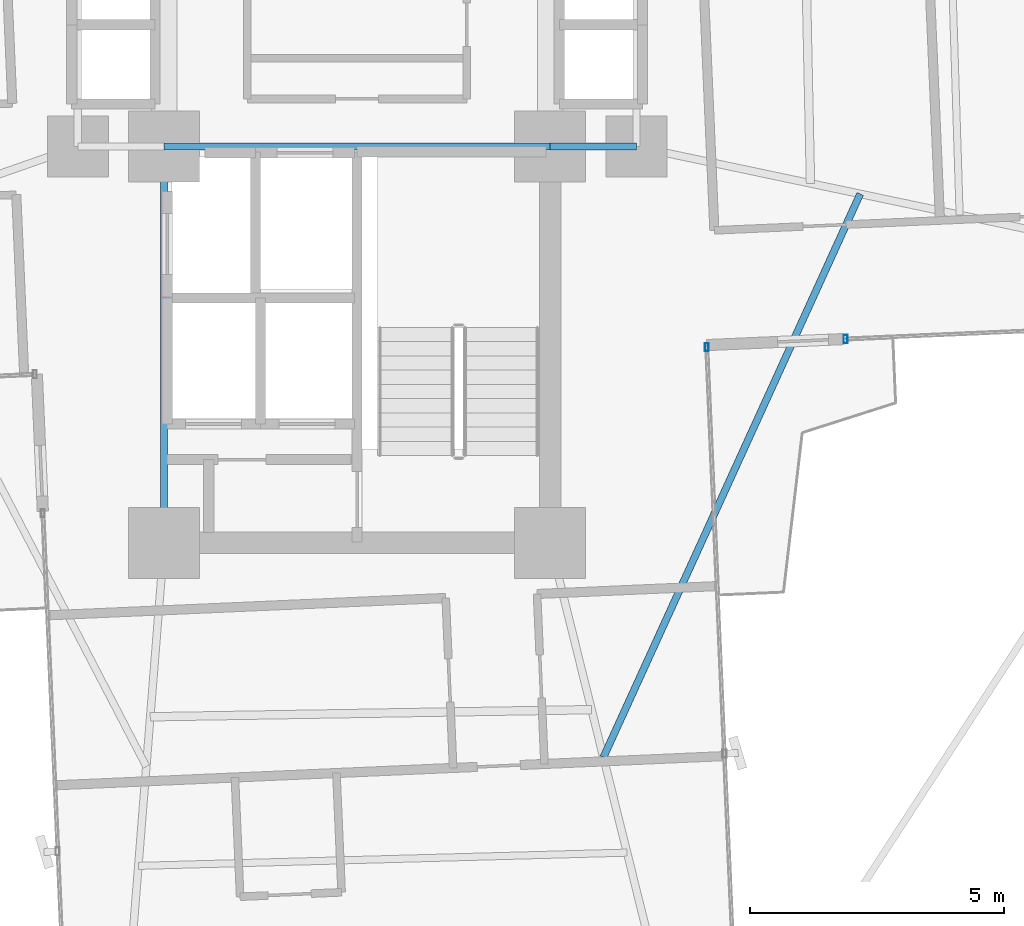
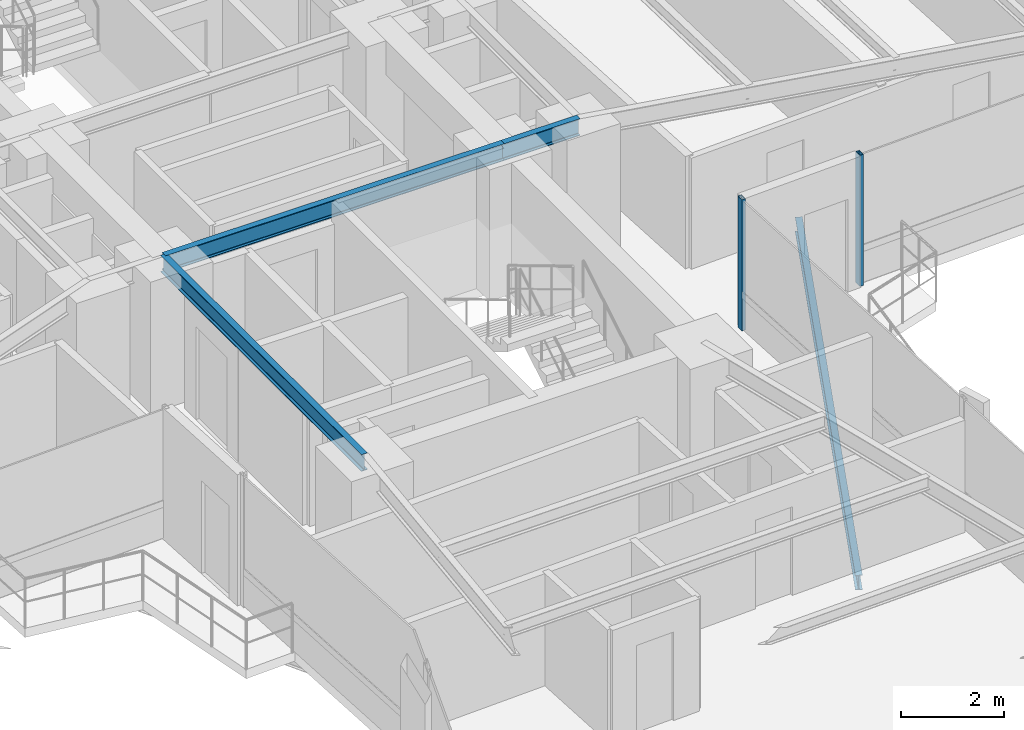
# One storey, part 11 of 26: 4 beams, 2 members, 2 elements without a shape of their own.
"""IFC4 building model written with IfcOpenShell, lengths in metres."""

import ifcopenshell
import ifcopenshell.guid

model = None  # the IFC model being written
_history = None  # IfcOwnerHistory: only IFC2X3 demands one
_inside = {}  # id of a spatial element -> (the spatial element, [elements in it])
_under = {}  # id of a project, library or spatial element -> (it, [spatial elements below it])
_declared = {}  # id of a project -> (the project, [libraries it declares])
_typed = {}  # id of a type object -> (the type object, [elements of that type])
_made_of = {}  # id of a material, layer set ... -> (it, [elements and type objects made of it])


def new_model(schema):
    """Start an empty IFC model of exactly this schema.

    Asked for "IFC4X3", IfcOpenShell would pick the latest addendum, in which some entities
    have other attributes; the version numbers below select the first issue.
    IFC2X3 requires an IfcOwnerHistory on every rooted entity: one is made here for all.
    """
    global model, _history
    if schema == "IFC4X3":
        model = ifcopenshell.file(schema_version=(4, 3, 0, 0))
    else:
        model = ifcopenshell.file(schema=schema)
    _inside.clear()
    _under.clear()
    _declared.clear()
    _typed.clear()
    _made_of.clear()
    _history = None
    if model.schema == "IFC2X3":
        org = make("IfcOrganization", Name="unknown")
        user = make(
            "IfcPersonAndOrganization",
            ThePerson=make("IfcPerson", FamilyName="unknown"),
            TheOrganization=org,
        )
        app = make(
            "IfcApplication",
            ApplicationDeveloper=org,
            Version="unknown",
            ApplicationFullName="unknown",
            ApplicationIdentifier="unknown",
        )
        _history = make(
            "IfcOwnerHistory",
            OwningUser=user,
            OwningApplication=app,
            ChangeAction="ADDED",
            CreationDate=0,
        )
    return model


def make(cls, **values):
    """One entity of the class cls with the attributes given. An attribute that is None is left unset."""
    return model.create_entity(
        cls, **{name: value for name, value in values.items() if value is not None}
    )


def rooted(cls, **values):
    """An entity with a GlobalId (a new one), such as an element, a storey or a relation."""
    return make(cls, GlobalId=ifcopenshell.guid.new(), OwnerHistory=_history, **values)


def si_unit(unit_type, name, prefix=None):
    """IfcSIUnit, for example si_unit("LENGTHUNIT", "METRE", prefix="MILLI")."""
    return make("IfcSIUnit", UnitType=unit_type, Prefix=prefix, Name=name)


def assignment(units):
    """IfcUnitAssignment: the units of a project."""
    return None if units is None else make("IfcUnitAssignment", Units=units)


def point(xyz):
    """IfcCartesianPoint."""
    return None if xyz is None else make("IfcCartesianPoint", Coordinates=xyz)


def direction(xyz):
    """IfcDirection."""
    return None if xyz is None else make("IfcDirection", DirectionRatios=xyz)


def frame(location, z_axis=None, x_axis=None):
    """IfcAxis2Placement3D, a coordinate frame: its origin and axes. An axis left out is left unset."""
    return make(
        "IfcAxis2Placement3D",
        Location=point(location),
        Axis=direction(z_axis),
        RefDirection=direction(x_axis),
    )


def frame_2d(location, x_axis=None):
    """IfcAxis2Placement2D, a coordinate frame in the plane: its origin and x axis."""
    return make(
        "IfcAxis2Placement2D", Location=point(location), RefDirection=direction(x_axis)
    )


def origin():
    """The frame at (0, 0, 0) with its axes left unset."""
    return frame((0.0, 0.0, 0.0))


def origin_2d():
    """The frame at (0, 0) in the plane with its x axis left unset."""
    return frame_2d((0.0, 0.0))


def place(relative_to, where):
    """IfcLocalPlacement: puts the frame where relative to a parent placement (None: the world)."""
    return make(
        "IfcLocalPlacement", PlacementRelTo=relative_to, RelativePlacement=where
    )


def context(
    kind, dimensions, precision=None, world=None, true_north=None, identifier=None
):
    """IfcGeometricRepresentationContext, for example the 3D "Model" context."""
    return make(
        "IfcGeometricRepresentationContext",
        ContextIdentifier=identifier,
        ContextType=kind,
        CoordinateSpaceDimension=dimensions,
        Precision=precision,
        WorldCoordinateSystem=world,
        TrueNorth=true_north,
    )


def subcontext(parent, identifier, kind, view, scale=None):
    """IfcGeometricRepresentationSubContext, for example "Body" below "Model"."""
    return make(
        "IfcGeometricRepresentationSubContext",
        ContextIdentifier=identifier,
        ContextType=kind,
        ParentContext=parent,
        TargetScale=scale,
        TargetView=view,
    )


def project(units=None, contexts=None):
    """IfcProject with its units and contexts."""
    return rooted(
        "IfcProject",
        Name="project",
        RepresentationContexts=contexts,
        UnitsInContext=assignment(units),
    )


def spatial(cls, under=None, at=None, **own):
    """A site, building, storey or space (cls), placed at a placement, below another one or the project."""
    s = rooted(cls, ObjectPlacement=at, **own)
    if under is not None:
        _under.setdefault(under.id(), (under, []))[1].append(s)
    return s


def profile(cls, at=None, kind="AREA", **sizes):
    """A parametric profile (cls). Its sizes go by their IFC names, for example OverallWidth=200.0."""
    return make(cls, ProfileType=kind, Position=at, **sizes)


def hollow_rectangle(**sizes):
    """IfcRectangleHollowProfileDef."""
    return profile("IfcRectangleHollowProfileDef", **sizes)


def i_section(**sizes):
    """IfcIShapeProfileDef."""
    return profile("IfcIShapeProfileDef", **sizes)


def extrude(swept, where, along, depth):
    """IfcExtrudedAreaSolid: the profile swept, set in the frame where, extruded along a direction by depth."""
    return make(
        "IfcExtrudedAreaSolid",
        SweptArea=swept,
        Position=where,
        ExtrudedDirection=direction(along),
        Depth=depth,
    )


def shape(context_of_items, identifier, shape_type, items):
    """IfcShapeRepresentation: the items that make up one representation, for example the "Body"."""
    return make(
        "IfcShapeRepresentation",
        ContextOfItems=context_of_items,
        RepresentationIdentifier=identifier,
        RepresentationType=shape_type,
        Items=items,
    )


def source(mapping_origin, context_of_items, identifier, shape_type, items):
    """IfcRepresentationMap: a shape defined once, which mapped items show again and again."""
    return make(
        "IfcRepresentationMap",
        MappingOrigin=mapping_origin,
        MappedRepresentation=shape(context_of_items, identifier, shape_type, items),
    )


def transform(
    local_origin,
    x_axis=None,
    y_axis=None,
    z_axis=None,
    scale=None,
    scale2=None,
    scale3=None,
    uniform=True,
):
    """IfcCartesianTransformationOperator3D, or its non-uniform kind. x_axis, y_axis, z_axis: its Axis1, 2, 3."""
    if uniform:
        return make(
            "IfcCartesianTransformationOperator3D",
            Axis1=direction(x_axis),
            Axis2=direction(y_axis),
            LocalOrigin=point(local_origin),
            Scale=scale,
            Axis3=direction(z_axis),
        )
    return make(
        "IfcCartesianTransformationOperator3DnonUniform",
        Axis1=direction(x_axis),
        Axis2=direction(y_axis),
        LocalOrigin=point(local_origin),
        Scale=scale,
        Axis3=direction(z_axis),
        Scale2=scale2,
        Scale3=scale3,
    )


def mapped(mapping_source, mapping_target):
    """IfcMappedItem: shows the shape of a source again, moved by a transform."""
    return make(
        "IfcMappedItem", MappingSource=mapping_source, MappingTarget=mapping_target
    )


def material(Name=None, Category=None):
    """IfcMaterial."""
    return make("IfcMaterial", Name=Name, Category=Category)


def material_profile(
    of_material, cross_section, Name=None, Category=None, Priority=None
):
    """IfcMaterialProfile: a cross section and its material."""
    return make(
        "IfcMaterialProfile",
        Name=Name,
        Material=of_material,
        Profile=cross_section,
        Priority=Priority,
        Category=Category,
    )


def profile_set(profiles, Name=None, composite=None):
    """IfcMaterialProfileSet."""
    return make(
        "IfcMaterialProfileSet",
        Name=Name,
        MaterialProfiles=profiles,
        CompositeProfile=composite,
    )


def made_of(thing, what):
    """Note that an element or type object is made of a material, layer set ...; save() writes the relation."""
    if what is not None:
        _made_of.setdefault(what.id(), (what, []))[1].append(thing)
    return thing


def type_object(cls, material=None, **own):
    """A type object (cls), such as IfcWallType, which elements share."""
    return made_of(rooted(cls, **own), material)


def element(
    cls,
    number,
    at=None,
    inside=None,
    cuts=None,
    type_object=None,
    material=None,
    context=None,
    identifier="Body",
    shape_type=None,
    held_by="IfcProductDefinitionShape",
    body=None,
    shapes=None,
    **own,
):
    """One element of the class cls, such as IfcWall. Its Tag is "e" and its number.

    at: its placement. inside: the storey or other place that contains it. cuts: it is an
    opening in that element (IfcRelVoidsElement). A single representation is given by context,
    identifier, shape_type and body (its items); several are given by shapes. held_by: the class
    of the entity that holds the representations. save() writes the other relations.
    """
    e = rooted(cls, Tag="e%d" % number, ObjectPlacement=at, **own)
    if body is not None:
        shapes = [shape(context, identifier, shape_type, body)]
    if shapes is not None:
        e.Representation = make(held_by, Representations=shapes)
    if inside is not None:
        _inside.setdefault(inside.id(), (inside, []))[1].append(e)
    if cuts is not None:
        rooted(
            "IfcRelVoidsElement", RelatingBuildingElement=cuts, RelatedOpeningElement=e
        )
    if type_object is not None:
        _typed.setdefault(type_object.id(), (type_object, []))[1].append(e)
    return made_of(e, material)


def aggregate(whole, parts):
    """IfcRelAggregates: a whole, such as a stair, and the parts it consists of."""
    return rooted("IfcRelAggregates", RelatingObject=whole, RelatedObjects=parts)


def save(model, path):
    """Write the relations noted so far, then the file.

    IfcRelAggregates (storeys below a building ...), IfcRelContainedInSpatialStructure (elements
    in a storey), IfcRelDefinesByType, IfcRelAssociatesMaterial and IfcRelDeclares: one each for
    every whole, place, type object, material and project.
    """
    for whole, parts in _under.values():
        aggregate(whole, parts)
    for where, things in _inside.values():
        rooted(
            "IfcRelContainedInSpatialStructure",
            RelatedElements=things,
            RelatingStructure=where,
        )
    for kind, things in _typed.values():
        rooted("IfcRelDefinesByType", RelatedObjects=things, RelatingType=kind)
    for what, things in _made_of.values():
        rooted("IfcRelAssociatesMaterial", RelatedObjects=things, RelatingMaterial=what)
    for by, libraries in _declared.values():
        rooted("IfcRelDeclares", RelatingContext=by, RelatedDefinitions=libraries)
    model.write(path)


model = new_model("IFC4")

# Units and contexts
model_context = context("Model", 3, precision=1e-05, world=origin(), true_north=direction((0.0, 1.0)))
body_context = subcontext(model_context, "Body", "Model", "MODEL_VIEW")
ifc_project = project(units=[si_unit("LENGTHUNIT", "METRE"), si_unit("AREAUNIT", "SQUARE_METRE"), si_unit("VOLUMEUNIT", "CUBIC_METRE"), si_unit("PLANEANGLEUNIT", "RADIAN"), si_unit("MASSUNIT", "GRAM", prefix="KILO")], contexts=[model_context])

# Site, building, storey
site_placement = place(None, origin())
site = spatial("IfcSite", under=ifc_project, at=site_placement, CompositionType="ELEMENT")
building_placement = place(site_placement, origin())
building = spatial("IfcBuilding", under=site, at=building_placement, Name="Sahyath Konkavel Grand Hotel", CompositionType="ELEMENT")
storey_placement = place(building_placement, frame((0.0, 0.0, 124.85009765625)))
storey = spatial("IfcBuildingStorey", under=building, at=storey_placement, Name="L34", CompositionType="ELEMENT", Elevation=124.85009765625)

# Beams
ifc_material_1 = material(Name="Steel E350", Category="steel")
ifc_material_profile_1 = material_profile(ifc_material_1, i_section(OverallWidth=0.139892578125, OverallDepth=0.39990234375, WebThickness=0.0087890625, FlangeThickness=0.01611328125, FilletRadius=0.013916015625, at=origin_2d()), Name="ISMB 400")
ifc_profile_set_1 = profile_set([ifc_material_profile_1], Name="Steel E350")
beam_type_1 = type_object("IfcBeamType", Name="BM-ISMB400", PredefinedType="BEAM", material=ifc_profile_set_1)
shared_shape_1 = source(origin(), body_context, "Body", "SweptSolid", [
    extrude(i_section(OverallWidth=0.139892578125, OverallDepth=0.39990234375, WebThickness=0.0087890625, FlangeThickness=0.01611328125, FilletRadius=0.013916015625, at=origin_2d()), origin(), (0.0, 0.0, 1.0), 7.60009765625),
])
beam_1_placement = place(storey_placement, frame((-3.800048828125, -2.39990234375, 2.909912109375), z_axis=(1.0, 0.0, 0.0), x_axis=(0.0, 1.0, 0.0)))
element("IfcBeam", 1, at=beam_1_placement, inside=storey, type_object=beam_type_1, Name="str:bm:L34:SC-N", PredefinedType="BEAM", context=body_context, shape_type="MappedRepresentation", body=[
    mapped(shared_shape_1, transform((0.0, 0.0, 0.0), scale=1.0)),
])
shared_shape_2 = source(origin(), body_context, "Body", "SweptSolid", [
    extrude(i_section(OverallWidth=0.139892578125, OverallDepth=0.39990234375, WebThickness=0.0087890625, FlangeThickness=0.01611328125, FilletRadius=0.013916015625, at=origin_2d()), origin(), (0.0, 0.0, 1.0), 7.800048828125),
])
beam_2_placement = place(storey_placement, frame((-3.800048828125, -10.199951171875, 2.909912109375), z_axis=(0.0, 1.0, 0.0), x_axis=(-1.0, 0.0, 0.0)))
element("IfcBeam", 2, at=beam_2_placement, inside=storey, type_object=beam_type_1, Name="str:bm:L34:SC-W", PredefinedType="BEAM", context=body_context, shape_type="MappedRepresentation", body=[
    mapped(shared_shape_2, transform((0.0, 0.0, 0.0), scale=1.0)),
])
shared_shape_3 = source(origin(), body_context, "Body", "SweptSolid", [
    extrude(i_section(OverallWidth=0.139892578125, OverallDepth=0.39990234375, WebThickness=0.0087890625, FlangeThickness=0.01611328125, FilletRadius=0.013916015625, at=origin_2d()), origin(), (0.0, 0.0, 1.0), 1.699951171875),
])
beam_3_placement = place(storey_placement, frame((3.800048828125, -2.39990234375, 2.909912109375), z_axis=(1.0, 0.0, 0.0), x_axis=(0.0, 1.0, 0.0)))
element("IfcBeam", 3, at=beam_3_placement, inside=storey, type_object=beam_type_1, Name="str:bm:L34:HB-SE", PredefinedType="BEAM", context=body_context, shape_type="MappedRepresentation", body=[
    mapped(shared_shape_3, transform((0.0, 0.0, 0.0), scale=1.0)),
])

# Curtain wall, member
ifc_material_2 = material(Name="Anodised Bronze Aluminium & Low-E Glazing", Category="aluminium")
curtain_wall_type = type_object("IfcCurtainWallType", Name="CW-ZONE2", PredefinedType="NOTDEFINED", material=ifc_material_2)
curtain_wall_1_placement = place(storey_placement, origin())
curtain_wall_1 = element("IfcCurtainWall", 4, at=curtain_wall_1_placement, inside=storey, type_object=curtain_wall_type, Name="L34 Unitised Curtain Wall F0", PredefinedType="NOTDEFINED")
ifc_material_3 = material(Name="Anodised Bronze Aluminium", Category="aluminium")
ifc_material_profile_2 = material_profile(ifc_material_3, hollow_rectangle(XDim=0.080078125, YDim=0.159912109375, WallThickness=0.006103515625, at=origin_2d()), Name="RHS 160x80x6")
ifc_profile_set_2 = profile_set([ifc_material_profile_2], Name="Anodised Bronze Aluminium")
member_type = type_object("IfcMemberType", Name="CW-MUL-160", PredefinedType="MULLION", material=ifc_profile_set_2)
shared_shape_4 = source(origin(), body_context, "Body", "SweptSolid", [
    extrude(hollow_rectangle(XDim=0.080078125, YDim=0.159912109375, WallThickness=0.006103515625, at=origin_2d()), origin(), (0.0, 0.0, 1.0), 3.10986328125),
])
member_1_placement = place(storey_placement, frame((9.618896484375, -6.186279296875, 0.0), z_axis=(0.0, 0.0, 1.0), x_axis=(1.0, 0.0, 0.0)))
member_1 = element("IfcMember", 5, at=member_1_placement, type_object=member_type, Name="L34 Curtain Wall Mullion F0-0", PredefinedType="MULLION", context=body_context, shape_type="MappedRepresentation", body=[
    mapped(shared_shape_4, transform((0.0, 0.0, 0.0), scale=1.0)),
])
aggregate(curtain_wall_1, [member_1])

curtain_wall_2_placement = place(storey_placement, origin())
curtain_wall_2 = element("IfcCurtainWall", 6, at=curtain_wall_2_placement, inside=storey, type_object=curtain_wall_type, Name="L34 Unitised Curtain Wall F31", PredefinedType="NOTDEFINED")
member_2_placement = place(storey_placement, frame((6.88330078125, -6.345703125, 0.0), z_axis=(0.0, 0.0, 1.0), x_axis=(1.0, 0.0, 0.0)))
member_2 = element("IfcMember", 7, at=member_2_placement, type_object=member_type, Name="L34 Curtain Wall Mullion F31-2", PredefinedType="MULLION", context=body_context, shape_type="MappedRepresentation", body=[
    mapped(shared_shape_4, transform((0.0, 0.0, 0.0), scale=1.0)),
])
aggregate(curtain_wall_2, [member_2])

# Beam
ifc_material_profile_3 = material_profile(ifc_material_1, i_section(OverallWidth=0.139892578125, OverallDepth=0.35009765625, WebThickness=0.008056640625, FlangeThickness=0.01416015625, FilletRadius=0.013916015625, at=origin_2d()), Name="ISMB 350")
ifc_profile_set_3 = profile_set([ifc_material_profile_3], Name="Steel E350")
beam_type_2 = type_object("IfcBeamType", Name="BM-BALC-CANT", PredefinedType="BEAM", material=ifc_profile_set_3)
shared_shape_5 = source(origin(), body_context, "Body", "SweptSolid", [
    extrude(i_section(OverallWidth=0.139892578125, OverallDepth=0.35009765625, WebThickness=0.008056640625, FlangeThickness=0.01416015625, FilletRadius=0.013916015625, at=origin_2d()), origin(), (0.0, 0.0, 1.0), 12.190673828125),
])
beam_4_placement = place(storey_placement, frame((4.8486328125, -14.422119140625, -0.4150390625), z_axis=(0.414712580086, 0.909952458054, 0.0), x_axis=(-0.909952458054, 0.414712580086, 0.0)))
element("IfcBeam", 8, at=beam_4_placement, inside=storey, type_object=beam_type_2, Name="L34 Balcony Cantilever Support Beam SE", PredefinedType="BEAM", context=body_context, shape_type="MappedRepresentation", body=[
    mapped(shared_shape_5, transform((0.0, 0.0, 0.0), scale=1.0)),
])

save(model, "model.ifc")
